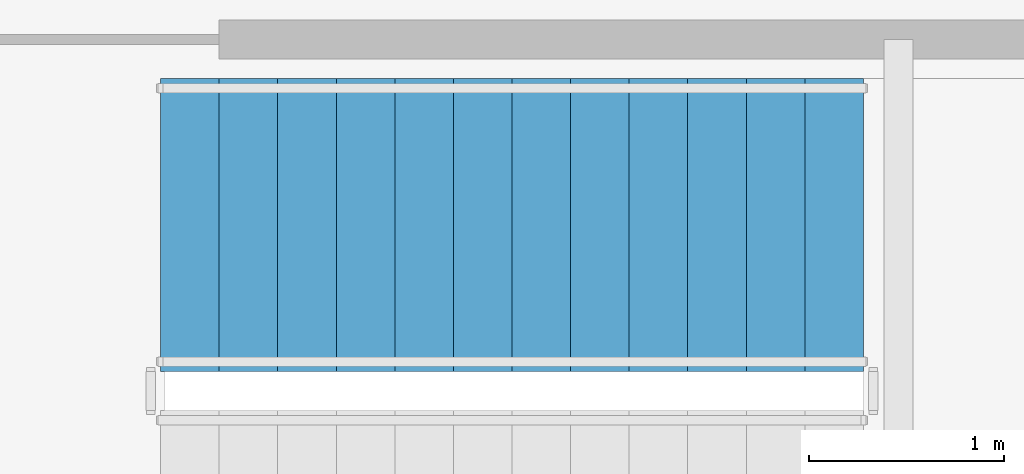
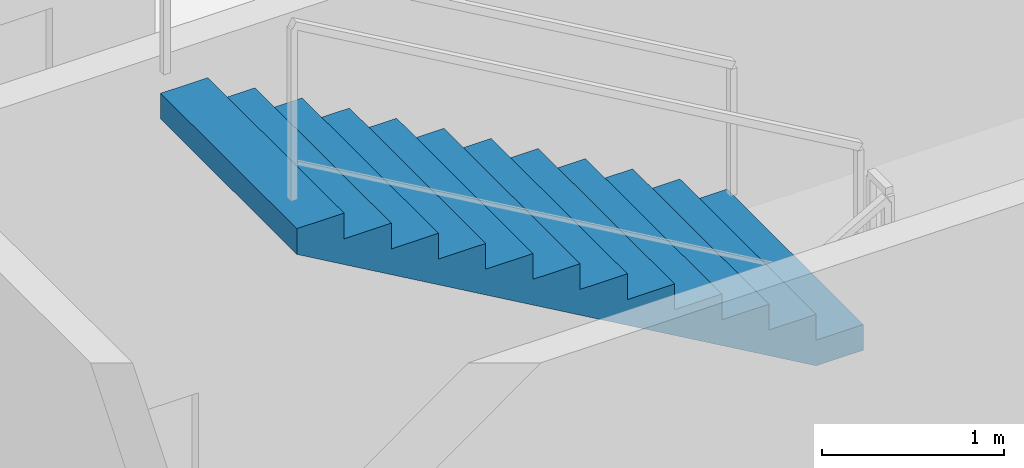
# One storey, part 11 of 15: 1 stair flight, 1 element without a shape of its own.
"""IFC4 building model written with IfcOpenShell, lengths in metres."""

import ifcopenshell
import ifcopenshell.guid

model = None  # the IFC model being written
_history = None  # IfcOwnerHistory: only IFC2X3 demands one
_inside = {}  # id of a spatial element -> (the spatial element, [elements in it])
_under = {}  # id of a project, library or spatial element -> (it, [spatial elements below it])
_declared = {}  # id of a project -> (the project, [libraries it declares])
_typed = {}  # id of a type object -> (the type object, [elements of that type])
_made_of = {}  # id of a material, layer set ... -> (it, [elements and type objects made of it])


def new_model(schema):
    """Start an empty IFC model of exactly this schema.

    Asked for "IFC4X3", IfcOpenShell would pick the latest addendum, in which some entities
    have other attributes; the version numbers below select the first issue.
    IFC2X3 requires an IfcOwnerHistory on every rooted entity: one is made here for all.
    """
    global model, _history
    if schema == "IFC4X3":
        model = ifcopenshell.file(schema_version=(4, 3, 0, 0))
    else:
        model = ifcopenshell.file(schema=schema)
    _inside.clear()
    _under.clear()
    _declared.clear()
    _typed.clear()
    _made_of.clear()
    _history = None
    if model.schema == "IFC2X3":
        org = make("IfcOrganization", Name="unknown")
        user = make(
            "IfcPersonAndOrganization",
            ThePerson=make("IfcPerson", FamilyName="unknown"),
            TheOrganization=org,
        )
        app = make(
            "IfcApplication",
            ApplicationDeveloper=org,
            Version="unknown",
            ApplicationFullName="unknown",
            ApplicationIdentifier="unknown",
        )
        _history = make(
            "IfcOwnerHistory",
            OwningUser=user,
            OwningApplication=app,
            ChangeAction="ADDED",
            CreationDate=0,
        )
    return model


def make(cls, **values):
    """One entity of the class cls with the attributes given. An attribute that is None is left unset."""
    return model.create_entity(
        cls, **{name: value for name, value in values.items() if value is not None}
    )


def rooted(cls, **values):
    """An entity with a GlobalId (a new one), such as an element, a storey or a relation."""
    return make(cls, GlobalId=ifcopenshell.guid.new(), OwnerHistory=_history, **values)


def si_unit(unit_type, name, prefix=None):
    """IfcSIUnit, for example si_unit("LENGTHUNIT", "METRE", prefix="MILLI")."""
    return make("IfcSIUnit", UnitType=unit_type, Prefix=prefix, Name=name)


def assignment(units):
    """IfcUnitAssignment: the units of a project."""
    return None if units is None else make("IfcUnitAssignment", Units=units)


def point(xyz):
    """IfcCartesianPoint."""
    return None if xyz is None else make("IfcCartesianPoint", Coordinates=xyz)


def direction(xyz):
    """IfcDirection."""
    return None if xyz is None else make("IfcDirection", DirectionRatios=xyz)


def frame(location, z_axis=None, x_axis=None):
    """IfcAxis2Placement3D, a coordinate frame: its origin and axes. An axis left out is left unset."""
    return make(
        "IfcAxis2Placement3D",
        Location=point(location),
        Axis=direction(z_axis),
        RefDirection=direction(x_axis),
    )


def origin():
    """The frame at (0, 0, 0) with its axes left unset."""
    return frame((0.0, 0.0, 0.0))


def place(relative_to, where):
    """IfcLocalPlacement: puts the frame where relative to a parent placement (None: the world)."""
    return make(
        "IfcLocalPlacement", PlacementRelTo=relative_to, RelativePlacement=where
    )


def context(
    kind, dimensions, precision=None, world=None, true_north=None, identifier=None
):
    """IfcGeometricRepresentationContext, for example the 3D "Model" context."""
    return make(
        "IfcGeometricRepresentationContext",
        ContextIdentifier=identifier,
        ContextType=kind,
        CoordinateSpaceDimension=dimensions,
        Precision=precision,
        WorldCoordinateSystem=world,
        TrueNorth=true_north,
    )


def subcontext(parent, identifier, kind, view, scale=None):
    """IfcGeometricRepresentationSubContext, for example "Body" below "Model"."""
    return make(
        "IfcGeometricRepresentationSubContext",
        ContextIdentifier=identifier,
        ContextType=kind,
        ParentContext=parent,
        TargetScale=scale,
        TargetView=view,
    )


def project(units=None, contexts=None):
    """IfcProject with its units and contexts."""
    return rooted(
        "IfcProject",
        Name="project",
        RepresentationContexts=contexts,
        UnitsInContext=assignment(units),
    )


def spatial(cls, under=None, at=None, **own):
    """A site, building, storey or space (cls), placed at a placement, below another one or the project."""
    s = rooted(cls, ObjectPlacement=at, **own)
    if under is not None:
        _under.setdefault(under.id(), (under, []))[1].append(s)
    return s


def polyline(points):
    """IfcPolyline through the points."""
    return make("IfcPolyline", Points=[point(p) for p in points])


def outline(outer, holes=None, kind="AREA"):
    """IfcArbitraryClosedProfileDef: a profile drawn as a closed curve; with holes, ...WithVoids."""
    if holes is None:
        return make("IfcArbitraryClosedProfileDef", ProfileType=kind, OuterCurve=outer)
    return make(
        "IfcArbitraryProfileDefWithVoids",
        ProfileType=kind,
        OuterCurve=outer,
        InnerCurves=holes,
    )


def extrude(swept, where, along, depth):
    """IfcExtrudedAreaSolid: the profile swept, set in the frame where, extruded along a direction by depth."""
    return make(
        "IfcExtrudedAreaSolid",
        SweptArea=swept,
        Position=where,
        ExtrudedDirection=direction(along),
        Depth=depth,
    )


def shape(context_of_items, identifier, shape_type, items):
    """IfcShapeRepresentation: the items that make up one representation, for example the "Body"."""
    return make(
        "IfcShapeRepresentation",
        ContextOfItems=context_of_items,
        RepresentationIdentifier=identifier,
        RepresentationType=shape_type,
        Items=items,
    )


def material(Name=None, Category=None):
    """IfcMaterial."""
    return make("IfcMaterial", Name=Name, Category=Category)


def made_of(thing, what):
    """Note that an element or type object is made of a material, layer set ...; save() writes the relation."""
    if what is not None:
        _made_of.setdefault(what.id(), (what, []))[1].append(thing)
    return thing


def type_object(cls, material=None, **own):
    """A type object (cls), such as IfcWallType, which elements share."""
    return made_of(rooted(cls, **own), material)


def element(
    cls,
    number,
    at=None,
    inside=None,
    cuts=None,
    type_object=None,
    material=None,
    context=None,
    identifier="Body",
    shape_type=None,
    held_by="IfcProductDefinitionShape",
    body=None,
    shapes=None,
    **own,
):
    """One element of the class cls, such as IfcWall. Its Tag is "e" and its number.

    at: its placement. inside: the storey or other place that contains it. cuts: it is an
    opening in that element (IfcRelVoidsElement). A single representation is given by context,
    identifier, shape_type and body (its items); several are given by shapes. held_by: the class
    of the entity that holds the representations. save() writes the other relations.
    """
    e = rooted(cls, Tag="e%d" % number, ObjectPlacement=at, **own)
    if body is not None:
        shapes = [shape(context, identifier, shape_type, body)]
    if shapes is not None:
        e.Representation = make(held_by, Representations=shapes)
    if inside is not None:
        _inside.setdefault(inside.id(), (inside, []))[1].append(e)
    if cuts is not None:
        rooted(
            "IfcRelVoidsElement", RelatingBuildingElement=cuts, RelatedOpeningElement=e
        )
    if type_object is not None:
        _typed.setdefault(type_object.id(), (type_object, []))[1].append(e)
    return made_of(e, material)


def aggregate(whole, parts):
    """IfcRelAggregates: a whole, such as a stair, and the parts it consists of."""
    return rooted("IfcRelAggregates", RelatingObject=whole, RelatedObjects=parts)


def save(model, path):
    """Write the relations noted so far, then the file.

    IfcRelAggregates (storeys below a building ...), IfcRelContainedInSpatialStructure (elements
    in a storey), IfcRelDefinesByType, IfcRelAssociatesMaterial and IfcRelDeclares: one each for
    every whole, place, type object, material and project.
    """
    for whole, parts in _under.values():
        aggregate(whole, parts)
    for where, things in _inside.values():
        rooted(
            "IfcRelContainedInSpatialStructure",
            RelatedElements=things,
            RelatingStructure=where,
        )
    for kind, things in _typed.values():
        rooted("IfcRelDefinesByType", RelatedObjects=things, RelatingType=kind)
    for what, things in _made_of.values():
        rooted("IfcRelAssociatesMaterial", RelatedObjects=things, RelatingMaterial=what)
    for by, libraries in _declared.values():
        rooted("IfcRelDeclares", RelatingContext=by, RelatedDefinitions=libraries)
    model.write(path)


model = new_model("IFC4")

# Units and contexts
model_context = context("Model", 3, precision=1e-05, world=origin(), true_north=direction((0.0, 1.0)))
body_context = subcontext(model_context, "Body", "Model", "MODEL_VIEW")
ifc_project = project(units=[si_unit("LENGTHUNIT", "METRE"), si_unit("AREAUNIT", "SQUARE_METRE"), si_unit("VOLUMEUNIT", "CUBIC_METRE"), si_unit("PLANEANGLEUNIT", "RADIAN"), si_unit("MASSUNIT", "GRAM", prefix="KILO")], contexts=[model_context])

# Site, building, storey
site_placement = place(None, origin())
site = spatial("IfcSite", under=ifc_project, at=site_placement, CompositionType="ELEMENT")
building_placement = place(site_placement, origin())
building = spatial("IfcBuilding", under=site, at=building_placement, Name="Svetorya Sky Lyceum", CompositionType="ELEMENT")
storey_placement = place(building_placement, frame((0.0, 0.0, 6.60009765625)))
storey = spatial("IfcBuildingStorey", under=building, at=storey_placement, Name="L01", CompositionType="ELEMENT", Elevation=6.60009765625)

# Stair, stair flight
ifc_material = material(Name="Concrete C40/50", Category="concrete")
stair_type = type_object("IfcStairType", Name="STR-ST-SCH-E", PredefinedType="HALF_TURN_STAIR", material=ifc_material)
stair_placement = place(storey_placement, origin())
stair = element("IfcStair", 1, at=stair_placement, inside=storey, type_object=stair_type, Name="L01 East Lyceum Podium Dedicated Stair", PredefinedType="HALF_TURN_STAIR")
stair_flight_type = type_object("IfcStairFlightType", Name="SFL-ST-SCH-E", PredefinedType="STRAIGHT", material=ifc_material)
stair_flight_placement = place(storey_placement, frame((71.85009765625, 25.25, 2.25), z_axis=(0.0, 0.0, 1.0), x_axis=(-1.0, 0.0, 0.0)))
stair_flight = element("IfcStairFlight", 2, at=stair_flight_placement, type_object=stair_flight_type, Name="ST-SCH-E flight 2", NumberOfRisers=13, NumberOfTreads=12, PredefinedType="STRAIGHT", RiserHeight=0.173076923, TreadLength=0.3, context=body_context, shape_type="SweptSolid", body=[
    extrude(outline(polyline([(0.0, 0.0), (0.0, 0.173095703125), (0.300048828125, 0.173095703125), (0.300048828125, 0.34619140625), (0.60009765625, 0.34619140625), (0.60009765625, 0.519287109375), (0.89990234375, 0.519287109375), (0.89990234375, 0.6923828125), (1.199951171875, 0.6923828125), (1.199951171875, 0.865478515625), (1.5, 0.865478515625), (1.5, 1.03857421875), (1.800048828125, 1.03857421875), (1.800048828125, 1.21142578125), (2.10009765625, 1.21142578125), (2.10009765625, 1.384521484375), (2.39990234375, 1.384521484375), (2.39990234375, 1.5576171875), (2.699951171875, 1.5576171875), (2.699951171875, 1.730712890625), (3.0, 1.730712890625), (3.0, 1.90380859375), (3.300048828125, 1.90380859375), (3.300048828125, 2.076904296875), (3.60009765625, 2.076904296875), (3.60009765625, 2.25), (3.60009765625, 1.90380859375), (0.300048828125, 0.0), (0.0, 0.0)])), frame((0.0, 0.75, 0.0), z_axis=(0.0, -1.0, 0.0), x_axis=(1.0, 0.0, 0.0)), (0.0, 0.0, 1.0), 1.5),
])
aggregate(stair, [stair_flight])

save(model, "model.ifc")
